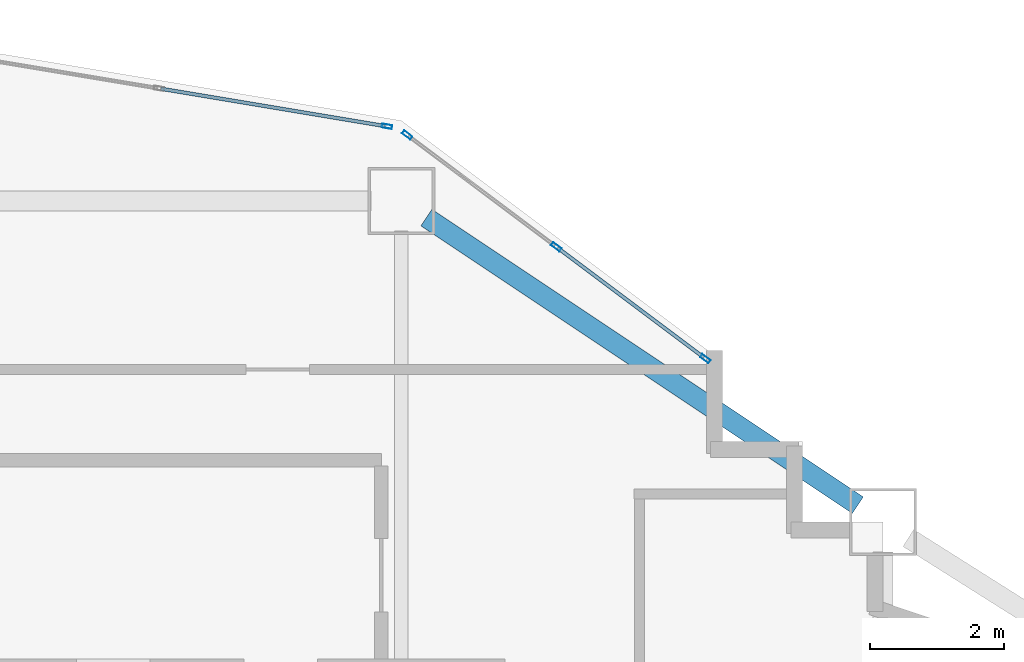
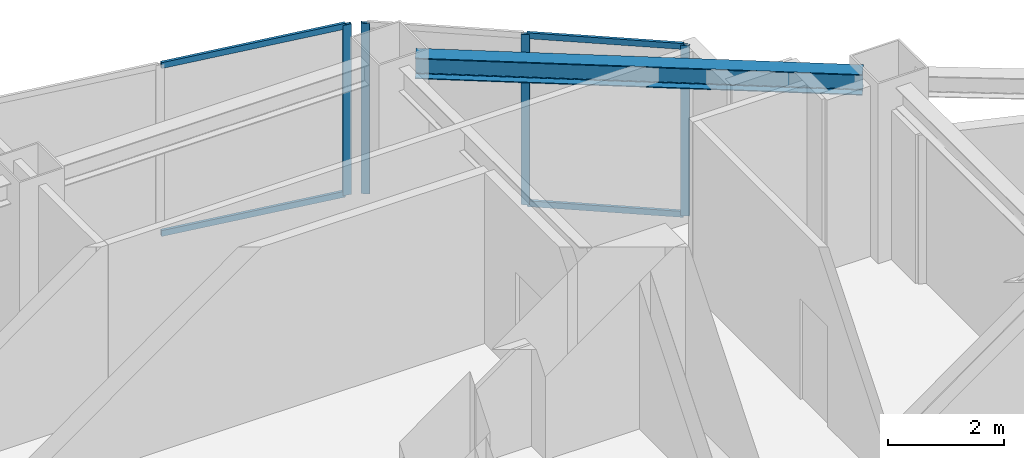
# One storey, part 3 of 13: 8 members, 1 beam, 2 elements without a shape of their own.
"""IFC4 building model written with IfcOpenShell, lengths in metres."""

from ifc_helpers import new_model, si_unit, direction, frame, origin, origin_2d, place, context, subcontext, project, spatial, hollow_rectangle, i_section, extrude, material, layer, layer_set, material_profile, profile_set, type_object, element, aggregate, save


model = new_model("IFC4")

# Units and contexts
model_context = context("Model", 3, precision=1e-05, world=origin(), true_north=direction((0.0, 1.0)))
body_context = subcontext(model_context, "Body", "Model", "MODEL_VIEW")
ifc_project = project(units=[si_unit("LENGTHUNIT", "METRE"), si_unit("AREAUNIT", "SQUARE_METRE"), si_unit("VOLUMEUNIT", "CUBIC_METRE"), si_unit("PLANEANGLEUNIT", "RADIAN"), si_unit("MASSUNIT", "GRAM", prefix="KILO")], contexts=[model_context])

# Site, building, storey
site_placement = place(None, origin())
site = spatial("IfcSite", under=ifc_project, at=site_placement, CompositionType="ELEMENT")
building_placement = place(site_placement, origin())
building = spatial("IfcBuilding", under=site, at=building_placement, Name="Haolan Belvedere Tower", CompositionType="ELEMENT")
storey_placement = place(building_placement, frame((0.0, 0.0, 106.0)))
storey = spatial("IfcBuildingStorey", under=building, at=storey_placement, Name="L26", CompositionType="ELEMENT", Elevation=106.0)

# Beam
ifc_material_1 = material(Name="Steel Q355B", Category="steel")
ifc_material_profile_1 = material_profile(ifc_material_1, i_section(OverallWidth=0.300048828125, OverallDepth=0.43994140625, WebThickness=0.010986328125, FlangeThickness=0.01806640625, FilletRadius=0.02392578125, at=origin_2d()), Name="Steel Q355B")
ifc_profile_set_1 = profile_set([ifc_material_profile_1], Name="Steel Q355B")
beam_type = type_object("IfcBeamType", Name="BM-HM440x300x11x18", PredefinedType="SPANDREL", material=ifc_profile_set_1)
beam_placement = place(storey_placement, frame((45.974365234375, 50.150390625, 3.3798828125), z_axis=(0.832050294338, -0.554700196225, 0.0), x_axis=(0.554700196225, 0.832050294338, 0.0)))
element("IfcBeam", 1, at=beam_placement, inside=storey, type_object=beam_type, Name="L26 spandrel girder MC-T3-N2-MC-T3-NE", PredefinedType="SPANDREL", context=body_context, shape_type="SweptSolid", body=[
    extrude(i_section(OverallWidth=0.300048828125, OverallDepth=0.43994140625, WebThickness=0.010986328125, FlangeThickness=0.01806640625, FilletRadius=0.02392578125, at=origin_2d()), origin(), (0.0, 0.0, 1.0), 7.75341796875),
])

# Curtain wall, members
ifc_material_2 = material(Name="Anodised champagne-silver aluminium 6063-T6 and Low-E glass", Category="aluminium")
ifc_layer = layer(ifc_material_2, 0.155029296875, Name="Anodised champagne-silver aluminium 6063-T6 and Low-E glass")
ifc_layer_set = layer_set([ifc_layer], Name="Anodised champagne-silver aluminium 6063-T6 and Low-E glass")
curtain_wall_type = type_object("IfcCurtainWallType", Name="CW-SYS-03", PredefinedType="NOTDEFINED", material=ifc_layer_set)
curtain_wall_1_placement = place(storey_placement, origin())
curtain_wall_1 = element("IfcCurtainWall", 2, at=curtain_wall_1_placement, inside=storey, type_object=curtain_wall_type, Name="L26 CW-SYS-03 ribbon curtain wall 26.1", PredefinedType="NOTDEFINED")
ifc_material_3 = material(Name="Anodised aluminium 6063-T6", Category="aluminium")
ifc_material_profile_2 = material_profile(ifc_material_3, hollow_rectangle(XDim=0.05810546875, YDim=0.155029296875, WallThickness=0.00390625, at=origin_2d()), Name="Anodised aluminium 6063-T6")
ifc_profile_set_2 = profile_set([ifc_material_profile_2], Name="Anodised aluminium 6063-T6")
member_type_1 = type_object("IfcMemberType", Name="CW-SYS-03-MUL", PredefinedType="MULLION", material=ifc_profile_set_2)
member_1_placement = place(storey_placement, frame((50.144775390625, 48.04150390625, 0.0), z_axis=(0.0, 0.0, 1.0), x_axis=(-0.599994316874, -0.800004262313, 0.0)))
member_1 = element("IfcMember", 3, at=member_1_placement, type_object=member_type_1, Name="CW-03 mullion 1", PredefinedType="MULLION", context=body_context, shape_type="SweptSolid", body=[
    extrude(hollow_rectangle(XDim=0.05810546875, YDim=0.155029296875, WallThickness=0.00390625, at=origin_2d()), origin(), (0.0, 0.0, 1.0), 3.60009765625),
])
member_2_placement = place(storey_placement, frame((47.915771484375, 49.713134765625, 0.0), z_axis=(0.0, 0.0, 1.0), x_axis=(-0.599994316874, -0.800004262313, 0.0)))
member_2 = element("IfcMember", 4, at=member_2_placement, type_object=member_type_1, Name="CW-03 mullion 2", PredefinedType="MULLION", context=body_context, shape_type="SweptSolid", body=[
    extrude(hollow_rectangle(XDim=0.05810546875, YDim=0.155029296875, WallThickness=0.00390625, at=origin_2d()), origin(), (0.0, 0.0, 1.0), 3.60009765625),
])
member_3_placement = place(storey_placement, frame((45.6865234375, 51.385009765625, 0.0), z_axis=(0.0, 0.0, 1.0), x_axis=(-0.599994316874, -0.800004262313, 0.0)))
member_3 = element("IfcMember", 5, at=member_3_placement, type_object=member_type_1, Name="CW-03 mullion 3", PredefinedType="MULLION", context=body_context, shape_type="SweptSolid", body=[
    extrude(hollow_rectangle(XDim=0.05810546875, YDim=0.155029296875, WallThickness=0.00390625, at=origin_2d()), origin(), (0.0, 0.0, 1.0), 3.60009765625),
])

# Curtain wall, member
curtain_wall_2_placement = place(storey_placement, origin())
curtain_wall_2 = element("IfcCurtainWall", 6, at=curtain_wall_2_placement, inside=storey, type_object=curtain_wall_type, Name="L26 CW-SYS-03 ribbon curtain wall 27.1", PredefinedType="NOTDEFINED")
member_4_placement = place(storey_placement, frame((45.384765625, 51.51416015625, 0.0), z_axis=(0.0, 0.0, 1.0), x_axis=(-0.16440364043, -0.9863931483, 0.0)))
member_4 = element("IfcMember", 7, at=member_4_placement, type_object=member_type_1, Name="CW-03 mullion 1", PredefinedType="MULLION", context=body_context, shape_type="SweptSolid", body=[
    extrude(hollow_rectangle(XDim=0.05810546875, YDim=0.155029296875, WallThickness=0.00390625, at=origin_2d()), origin(), (0.0, 0.0, 1.0), 3.60009765625),
])

# Member
ifc_material_profile_3 = material_profile(ifc_material_3, hollow_rectangle(XDim=0.053955078125, YDim=0.125, WallThickness=0.00390625, at=origin_2d()), Name="Anodised aluminium 6063-T6")
ifc_profile_set_3 = profile_set([ifc_material_profile_3], Name="Anodised aluminium 6063-T6")
member_type_2 = type_object("IfcMemberType", Name="CW-SYS-03-TRN", PredefinedType="USERDEFINED", material=ifc_profile_set_3)
member_5_placement = place(storey_placement, frame((50.12158203125, 48.058837890625, 0.027099609375), z_axis=(-0.8, 0.6, 0.0), x_axis=(-0.6, -0.8, 0.0)))
member_5 = element("IfcMember", 8, at=member_5_placement, type_object=member_type_2, Name="CW-03 transom 1.1", ObjectType="TRANSOM", PredefinedType="USERDEFINED", context=body_context, shape_type="SweptSolid", body=[
    extrude(hollow_rectangle(XDim=0.053955078125, YDim=0.125, WallThickness=0.00390625, at=origin_2d()), origin(), (0.0, 0.0, 1.0), 2.728271484375),
])

member_6_placement = place(storey_placement, frame((50.12158203125, 48.058837890625, 3.572998046875), z_axis=(-0.8, 0.6, 0.0), x_axis=(-0.6, -0.8, 0.0)))
member_6 = element("IfcMember", 9, at=member_6_placement, type_object=member_type_2, Name="CW-03 transom 1.2", ObjectType="TRANSOM", PredefinedType="USERDEFINED", context=body_context, shape_type="SweptSolid", body=[
    extrude(hollow_rectangle(XDim=0.053955078125, YDim=0.125, WallThickness=0.00390625, at=origin_2d()), origin(), (0.0, 0.0, 1.0), 2.728271484375),
])

aggregate(curtain_wall_1, [member_1, member_2, member_3, member_5, member_6])

member_7_placement = place(storey_placement, frame((45.356201171875, 51.51904296875, 0.027099609375), z_axis=(-0.986395865591, 0.16438733633, 0.0), x_axis=(-0.16438733633, -0.986395865591, 0.0)))
member_7 = element("IfcMember", 10, at=member_7_placement, type_object=member_type_2, Name="CW-03 transom 1.1", ObjectType="TRANSOM", PredefinedType="USERDEFINED", context=body_context, shape_type="SweptSolid", body=[
    extrude(hollow_rectangle(XDim=0.053955078125, YDim=0.125, WallThickness=0.00390625, at=origin_2d()), origin(), (0.0, 0.0, 1.0), 3.39794921875),
])

member_8_placement = place(storey_placement, frame((45.356201171875, 51.51904296875, 3.572998046875), z_axis=(-0.986395865591, 0.16438733633, 0.0), x_axis=(-0.16438733633, -0.986395865591, 0.0)))
member_8 = element("IfcMember", 11, at=member_8_placement, type_object=member_type_2, Name="CW-03 transom 1.2", ObjectType="TRANSOM", PredefinedType="USERDEFINED", context=body_context, shape_type="SweptSolid", body=[
    extrude(hollow_rectangle(XDim=0.053955078125, YDim=0.125, WallThickness=0.00390625, at=origin_2d()), origin(), (0.0, 0.0, 1.0), 3.39794921875),
])

aggregate(curtain_wall_2, [member_4, member_7, member_8])

save(model, "model.ifc")
